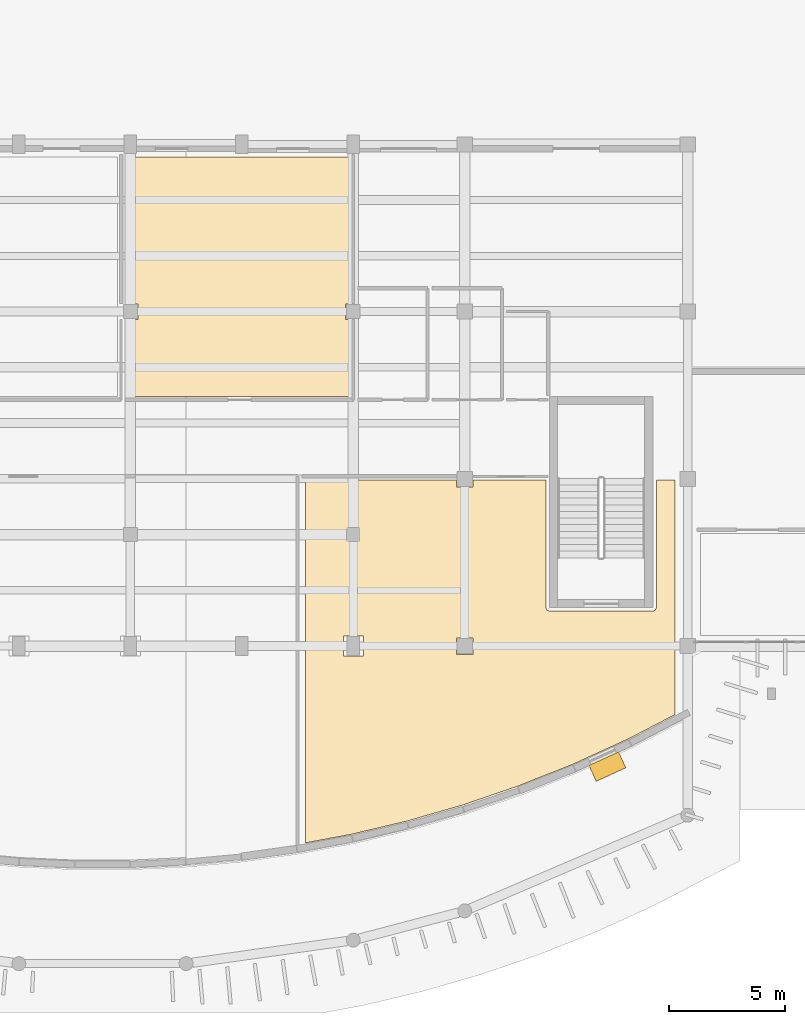
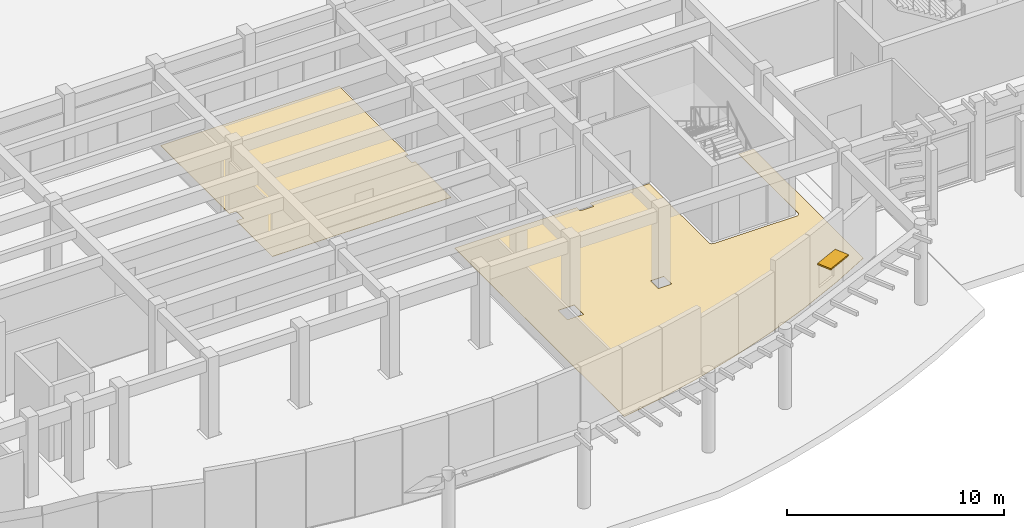
# One storey, part 47 of 58: 2 coverings, 1 shading device.
"""IFC4 building model written with IfcOpenShell, lengths in metres."""

from ifc_helpers import new_model, si_unit, direction, frame, origin, origin_2d, place, context, subcontext, project, spatial, polyline, rectangle, outline, extrude, material, layer, layer_set, type_object, element, save


model = new_model("IFC4")

# Units and contexts
model_context = context("Model", 3, precision=1e-05, world=origin(), true_north=direction((0.0, 1.0)))
body_context = subcontext(model_context, "Body", "Model", "MODEL_VIEW")
ifc_project = project(units=[si_unit("LENGTHUNIT", "METRE"), si_unit("AREAUNIT", "SQUARE_METRE"), si_unit("VOLUMEUNIT", "CUBIC_METRE"), si_unit("PLANEANGLEUNIT", "RADIAN"), si_unit("MASSUNIT", "GRAM", prefix="KILO")], contexts=[model_context])

# Site, building, storey
site_placement = place(None, origin())
site = spatial("IfcSite", under=ifc_project, at=site_placement, CompositionType="ELEMENT")
building_placement = place(site_placement, origin())
building = spatial("IfcBuilding", under=site, at=building_placement, Name="Brisavento Harbour Community Centre", CompositionType="ELEMENT")
storey_placement = place(building_placement, origin())
storey = spatial("IfcBuildingStorey", under=building, at=storey_placement, Name="L00", CompositionType="ELEMENT", Elevation=0.0)

# Coverings
ifc_material_1 = material(Name="Polished marine terrazzo tile", Category="other")
ifc_layer_1 = layer(ifc_material_1, 0.02001953125, Name="Polished marine terrazzo tile")
ifc_layer_set_1 = layer_set([ifc_layer_1], Name="Polished marine terrazzo tile")
covering_type = type_object("IfcCoveringType", Name="COV-FLR-TRZ", PredefinedType="FLOORING", material=ifc_layer_set_1)
covering_1_placement = place(storey_placement, origin())
element("IfcCovering", 1, at=covering_1_placement, inside=storey, type_object=covering_type, Name="L00 Community Heritage Gallery terrazzo flooring", PredefinedType="FLOORING", context=body_context, shape_type="SweptSolid", body=[
    extrude(outline(polyline([(44.300048828125, 21.550048828125), (41.155029296875, 21.550048828125), (41.155029296875, 21.2451171875), (40.445068359375, 21.2451171875), (40.445068359375, 21.550048828125), (33.949951171875, 21.550048828125), (33.949951171875, 5.925048828125), (35.923095703125, 6.2958984375), (38.305908203125, 6.861083984375), (40.68896484375, 7.548095703125), (43.07177734375, 8.362060546875), (45.45458984375, 9.30908203125), (47.837646484375, 10.397705078125), (49.85009765625, 11.445068359375), (49.85009765625, 21.550048828125), (49.050048828125, 21.550048828125), (49.050048828125, 16.050048828125), (49.006103515625, 15.94384765625), (48.89990234375, 15.89990234375), (44.449951171875, 15.89990234375), (44.354736328125, 15.93408203125), (44.302978515625, 16.020751953125), (44.300048828125, 21.550048828125)]), holes=[polyline([(40.445068359375, 14.044921875), (40.445068359375, 14.7548828125), (41.155029296875, 14.7548828125), (41.155029296875, 14.044921875), (40.445068359375, 14.044921875)]), polyline([(36.429931640625, 14.830078125), (36.429931640625, 13.969970703125), (35.570068359375, 13.969970703125), (35.570068359375, 14.830078125), (36.429931640625, 14.830078125)])]), origin(), (0.0, 0.0, 1.0), 0.02001953125),
])
covering_2_placement = place(storey_placement, origin())
element("IfcCovering", 2, at=covering_2_placement, inside=storey, type_object=covering_type, Name="L00 Neighbourhood Welcome Desk terrazzo flooring", PredefinedType="FLOORING", context=body_context, shape_type="SweptSolid", body=[
    extrude(outline(polyline([(26.35009765625, 28.469970703125), (26.35009765625, 25.14990234375), (35.85009765625, 25.14990234375), (35.85009765625, 28.469970703125), (35.669921875, 28.469970703125), (35.669921875, 29.1298828125), (35.85009765625, 29.1298828125), (35.85009765625, 35.449951171875), (26.35009765625, 35.449951171875), (26.35009765625, 29.1298828125), (26.72998046875, 29.1298828125), (26.72998046875, 28.469970703125), (26.35009765625, 28.469970703125)])), origin(), (0.0, 0.0, 1.0), 0.02001953125),
])

# Shading device
ifc_material_2 = material(Name="Off-white precast concrete C40/50", Category="concrete")
ifc_layer_2 = layer(ifc_material_2, 0.080078125, Name="Off-white precast concrete C40/50")
ifc_layer_set_2 = layer_set([ifc_layer_2], Name="Off-white precast concrete C40/50")
shading_device_type = type_object("IfcShadingDeviceType", Name="SHD-BLADE", PredefinedType="USERDEFINED", material=ifc_layer_set_2)
shading_device_placement = place(storey_placement, frame((46.941162109375, 9.20751953125, 2.260009765625), z_axis=(0.0, 0.0, 1.0), x_axis=(-0.909584532519, -0.415518926407, 0.0)))
element("IfcShadingDevice", 3, at=shading_device_placement, inside=storey, type_object=shading_device_type, Name="L00 precast storm sunshade blade 01", ObjectType="SUNSHADE BLADE", PredefinedType="USERDEFINED", context=body_context, shape_type="SweptSolid", body=[
    extrude(rectangle(XDim=1.39990234375, YDim=0.75, at=origin_2d()), origin(), (0.0, 0.0, 1.0), 0.080078125),
])

save(model, "model.ifc")
